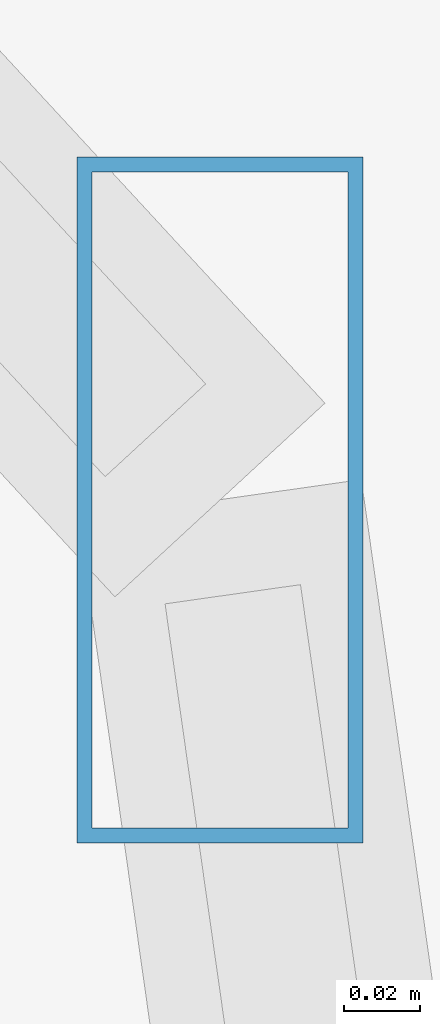
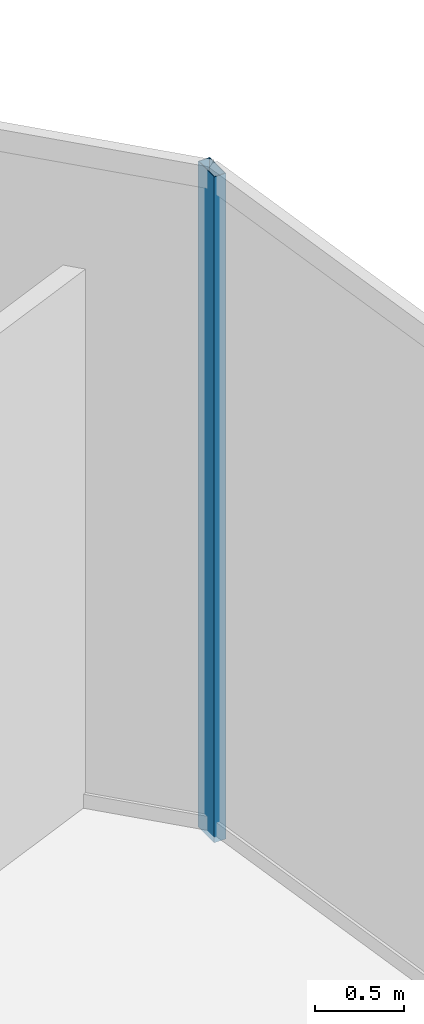
# One storey, part 20 of 27: 1 member, 1 element without a shape of its own.
"""IFC4 building model written with IfcOpenShell, lengths in metres."""

from ifc_helpers import new_model, si_unit, direction, frame, origin, origin_2d, place, context, subcontext, project, spatial, hollow_rectangle, extrude, material, material_profile, profile_set, type_object, element, aggregate, save


model = new_model("IFC4")

# Units and contexts
model_context = context("Model", 3, precision=1e-05, world=origin(), true_north=direction((0.0, 1.0)))
body_context = subcontext(model_context, "Body", "Model", "MODEL_VIEW")
ifc_project = project(units=[si_unit("LENGTHUNIT", "METRE"), si_unit("AREAUNIT", "SQUARE_METRE"), si_unit("VOLUMEUNIT", "CUBIC_METRE"), si_unit("PLANEANGLEUNIT", "RADIAN"), si_unit("MASSUNIT", "GRAM", prefix="KILO")], contexts=[model_context])

# Site, building, storey
site_placement = place(None, origin())
site = spatial("IfcSite", under=ifc_project, at=site_placement, CompositionType="ELEMENT")
building_placement = place(site_placement, origin())
building = spatial("IfcBuilding", under=site, at=building_placement, Name="Vorneva Point Tower", CompositionType="ELEMENT")
storey_placement = place(building_placement, frame((0.0, 0.0, 4.800048828125)))
storey = spatial("IfcBuildingStorey", under=building, at=storey_placement, Name="L01", CompositionType="ELEMENT", Elevation=4.800048828125)

# Curtain wall, member
ifc_material = material(Name="Pale anodised aluminium", Category="aluminium")
curtain_wall_type = type_object("IfcCurtainWallType", Name="CW-POD-SYS", PredefinedType="NOTDEFINED", material=ifc_material)
curtain_wall_placement = place(storey_placement, origin())
curtain_wall = element("IfcCurtainWall", 1, at=curtain_wall_placement, inside=storey, type_object=curtain_wall_type, Name="L01 Unitised Curtain Wall CW-L01-R01", PredefinedType="NOTDEFINED")
ifc_material_profile = material_profile(ifc_material, hollow_rectangle(XDim=0.074951171875, YDim=0.179931640625, WallThickness=0.00390625, at=origin_2d()), Name="AL-MUL 180x75x4")
ifc_profile_set = profile_set([ifc_material_profile], Name="Pale anodised aluminium")
member_type = type_object("IfcMemberType", Name="CW-MUL-180", PredefinedType="MULLION", material=ifc_profile_set)
member_placement = place(storey_placement, frame((71.47119140625, 39.05712890625, -0.0400390625), z_axis=(0.0, 0.0, 1.0), x_axis=(1.0, 0.0, 0.0)))
member = element("IfcMember", 2, at=member_placement, type_object=member_type, Name="CW-L01-R01 Mullion 03", PredefinedType="MULLION", context=body_context, shape_type="SweptSolid", body=[
    extrude(hollow_rectangle(XDim=0.074951171875, YDim=0.179931640625, WallThickness=0.00390625, at=origin_2d()), origin(), (0.0, 0.0, 1.0), 4.550048828125),
])
aggregate(curtain_wall, [member])

save(model, "model.ifc")
